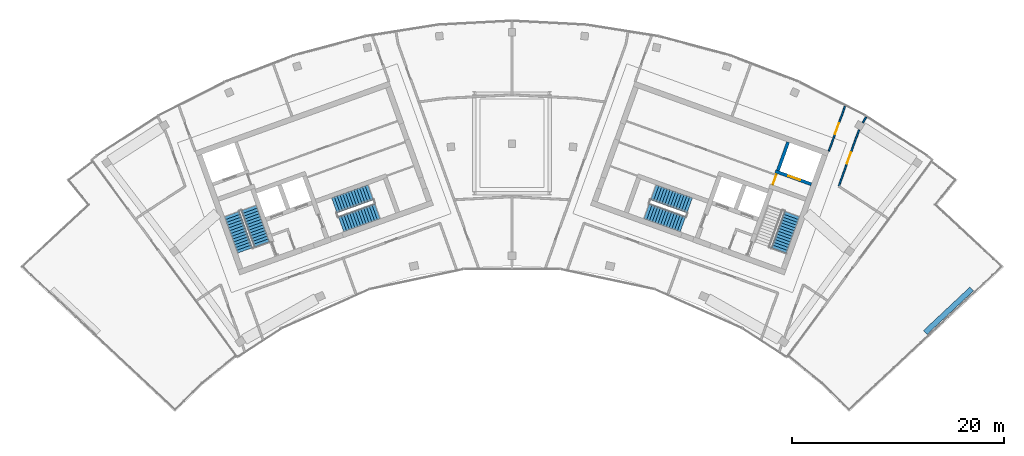
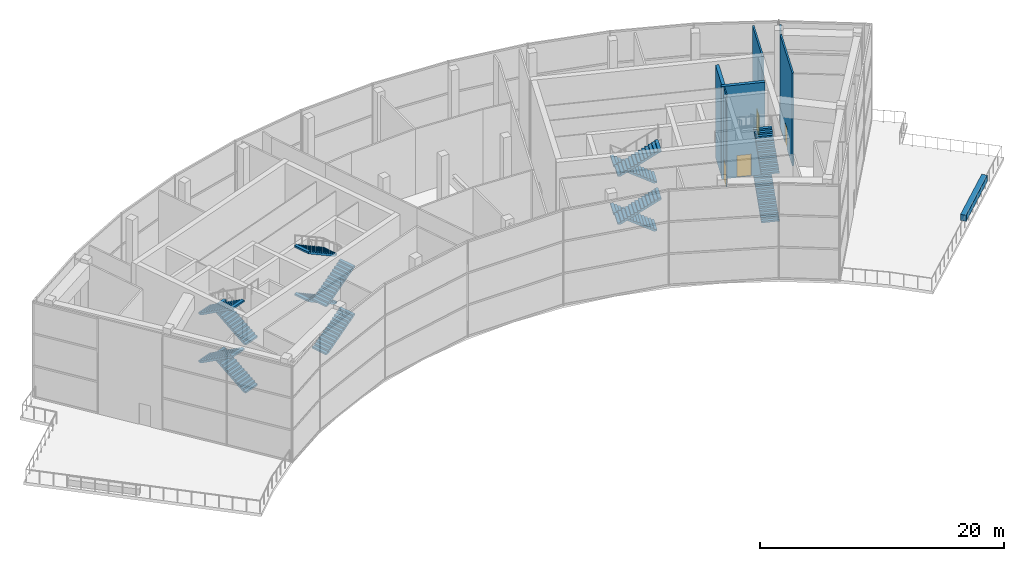
# One storey, part 16 of 20: 14 stair flights, 7 walls, 4 doors, 4 openings, 4 elements without a shape of their own.
"""IFC4 building model written with IfcOpenShell, lengths in metres."""

from ifc_helpers import new_model, si_unit, direction, frame, frame_2d, origin, origin_2d, place, context, subcontext, project, spatial, polyline, rectangle, outline, extrude, material, layer, layer_set, type_object, element, fill, aggregate, save


model = new_model("IFC4")

# Units and contexts
model_context = context("Model", 3, precision=1e-05, world=origin(), true_north=direction((0.0, 1.0)))
body_context = subcontext(model_context, "Body", "Model", "MODEL_VIEW")
ifc_project = project(units=[si_unit("LENGTHUNIT", "METRE"), si_unit("AREAUNIT", "SQUARE_METRE"), si_unit("VOLUMEUNIT", "CUBIC_METRE"), si_unit("PLANEANGLEUNIT", "RADIAN"), si_unit("MASSUNIT", "GRAM", prefix="KILO")], contexts=[model_context])

# Site, building, storey
site_placement = place(None, origin())
site = spatial("IfcSite", under=ifc_project, at=site_placement, CompositionType="ELEMENT")
building_placement = place(site_placement, origin())
building = spatial("IfcBuilding", under=site, at=building_placement, Name="Stone Belt Terrace Tower", CompositionType="ELEMENT")
storey_placement = place(building_placement, frame((0.0, 0.0, 323.0)))
storey = spatial("IfcBuildingStorey", under=building, at=storey_placement, Name="L78", CompositionType="ELEMENT", Elevation=323.0)

# Wall, opening, door
ifc_material_1 = material(Name="Plasterboard partition")
ifc_layer_1 = layer(ifc_material_1, 0.10009765625)
ifc_layer_set_1 = layer_set([ifc_layer_1], Name="Core partition 100")
wall_type_1 = type_object("IfcWallType", Name="Core partition 100", PredefinedType="PARTITIONING", material=ifc_layer_set_1)
wall_1_placement = place(storey_placement, frame((24.555908203125, 51.10400390625, 0.0), z_axis=(0.0, 0.0, 1.0), x_axis=(0.338621735342, 0.94092258999, 0.0)))
wall_1 = element("IfcWall", 1, at=wall_1_placement, inside=storey, type_object=wall_type_1, Name="Core B wall", PredefinedType="PARTITIONING", context=body_context, shape_type="SweptSolid", body=[
    extrude(rectangle(XDim=1.14990234375, YDim=0.10009765625, at=frame_2d((0.574951171875, 0.0))), origin(), (0.0, 0.0, 1.0), 9.25),
])
opening_1_placement = place(wall_1_placement, frame((0.050048828125, 0.0, 0.0)))
opening_1 = element("IfcOpeningElement", 2, at=opening_1_placement, cuts=wall_1, Name="Opening L78-C13", PredefinedType="OPENING", context=body_context, shape_type="SweptSolid", body=[
    extrude(rectangle(XDim=1.0, YDim=2.10009765625, at=frame_2d((0.5, 1.050048828125))), frame((0.0, 0.06005859375, 0.0), z_axis=(0.0, -1.0, 0.0), x_axis=(1.0, 0.0, 0.0)), (0.0, 0.0, 1.0), 0.1201171875),
])
ifc_material_2 = material(Name="Timber door leaf", Category="wood")
door_type_1 = type_object("IfcDoorType", Name="Core room door 1000", OperationType="SINGLE_SWING_LEFT", PredefinedType="DOOR", material=ifc_material_2)
door_1_placement = place(opening_1_placement, origin())
door_1 = element("IfcDoor", 3, at=door_1_placement, inside=storey, type_object=door_type_1, Name="Service lift lobby door core B", OperationType="SINGLE_SWING_LEFT", OverallHeight=2.10009765625, OverallWidth=1.0, PredefinedType="DOOR", context=body_context, shape_type="SweptSolid", body=[
    extrude(rectangle(XDim=1.0, YDim=2.10009765625, at=frame_2d((0.5, 1.050048828125))), frame((0.0, 0.02490234375, 0.0), z_axis=(0.0, -1.0, 0.0), x_axis=(1.0, 0.0, 0.0)), (0.0, 0.0, 1.0), 0.050048828125),
])
fill(opening_1, door_1)

ifc_material_3 = material(Name="Concrete B80", Category="concrete")
ifc_layer_2 = layer(ifc_material_3, 0.300048828125)
ifc_layer_set_2 = layer_set([ifc_layer_2], Name="Lift shaft wall 300")
wall_type_2 = type_object("IfcWallType", Name="Lift shaft wall 300", PredefinedType="SHEAR", material=ifc_layer_set_2)
wall_2_placement = place(storey_placement, frame((28.195068359375, 51.17578125, 0.0), z_axis=(0.0, 0.0, 1.0), x_axis=(-0.940901243567, 0.338681044427, 0.0)))
wall_2 = element("IfcWall", 4, at=wall_2_placement, inside=storey, type_object=wall_type_2, Name="Core B wall", PredefinedType="SHEAR", context=body_context, shape_type="SweptSolid", body=[
    extrude(rectangle(XDim=3.599853515625, YDim=0.300048828125, at=frame_2d((1.7998046875, 0.0))), origin(), (0.0, 0.0, 1.0), 9.25),
])
opening_2_placement = place(wall_2_placement, frame((1.1201171875, 0.0, 0.0)))
opening_2 = element("IfcOpeningElement", 5, at=opening_2_placement, cuts=wall_2, Name="Opening L78-LD06", PredefinedType="OPENING", context=body_context, shape_type="SweptSolid", body=[
    extrude(rectangle(XDim=1.199951171875, YDim=2.199951171875, at=frame_2d((0.60009765625, 1.10009765625))), frame((0.0, 0.159912109375, 0.0), z_axis=(0.0, -1.0, 0.0), x_axis=(1.0, 0.0, 0.0)), (0.0, 0.0, 1.0), 0.320068359375),
])
ifc_material_4 = material(Name="Stainless steel door leaf", Category="steel")
door_type_2 = type_object("IfcDoorType", Name="Landing door 1200", OperationType="SLIDING_TO_LEFT", PredefinedType="DOOR", material=ifc_material_4)
door_2_placement = place(opening_2_placement, origin())
door_2 = element("IfcDoor", 6, at=door_2_placement, inside=storey, type_object=door_type_2, Name="Landing door SV1 core B", OperationType="SLIDING_TO_LEFT", OverallHeight=2.199951171875, OverallWidth=1.199951171875, PredefinedType="DOOR", context=body_context, shape_type="SweptSolid", body=[
    extrude(rectangle(XDim=1.199951171875, YDim=2.199951171875, at=frame_2d((0.60009765625, 1.10009765625))), frame((0.0, 0.02490234375, 0.0), z_axis=(0.0, -1.0, 0.0), x_axis=(1.0, 0.0, 0.0)), (0.0, 0.0, 1.0), 0.050048828125),
])
fill(opening_2, door_2)

# Wall
wall_3_placement = place(storey_placement, frame((25.046875, 52.46826171875, 0.0), z_axis=(0.0, 0.0, 1.0), x_axis=(0.338549588058, 0.940948551423, 0.0)))
element("IfcWall", 7, at=wall_3_placement, inside=storey, type_object=wall_type_2, Name="Core B wall", PredefinedType="SHEAR", context=body_context, shape_type="SweptSolid", body=[
    extrude(rectangle(XDim=2.849853515625, YDim=0.300048828125, at=frame_2d((1.4248046875, 0.0))), origin(), (0.0, 0.0, 1.0), 9.25),
])

# Wall, opening, door
ifc_material_5 = material(Name="Gypsum board partition")
ifc_layer_3 = layer(ifc_material_5, 0.14990234375)
ifc_layer_set_3 = layer_set([ifc_layer_3], Name="PARTITION 150 EI 60")
wall_type_3 = type_object("IfcWallType", Name="PARTITION 150 EI 60", PredefinedType="PARTITIONING", material=ifc_layer_set_3)
wall_4_placement = place(storey_placement, frame((29.85107421875, 54.300048828125, 0.0), z_axis=(0.0, 0.0, 1.0), x_axis=(0.338740565995, 0.940879816421, 0.0)))
wall_4 = element("IfcWall", 8, at=wall_4_placement, inside=storey, type_object=wall_type_3, Name="L78/wall/i028", PredefinedType="PARTITIONING", context=body_context, shape_type="SweptSolid", body=[
    extrude(rectangle(XDim=4.507568359375, YDim=0.14990234375, at=frame_2d((2.25390625, 0.0))), origin(), (0.0, 0.0, 1.0), 9.25),
])
opening_3_placement = place(wall_4_placement, frame((1.703857421875, 0.0, 0.0)))
opening_3 = element("IfcOpeningElement", 9, at=opening_3_placement, cuts=wall_4, Name="Opening D-C78-08", PredefinedType="OPENING", context=body_context, shape_type="SweptSolid", body=[
    extrude(rectangle(XDim=1.10009765625, YDim=2.10009765625, at=frame_2d((0.550048828125, 1.050048828125))), frame((0.0, 0.0849609375, 0.0), z_axis=(0.0, -1.0, 0.0), x_axis=(1.0, 0.0, 0.0)), (0.0, 0.0, 1.0), 0.169921875),
])
ifc_material_6 = material(Name="Steel fire door set", Category="steel")
door_type_3 = type_object("IfcDoorType", Name="SERVICE ROOM DOOR 1100 X 2100", OperationType="NOTDEFINED", PredefinedType="DOOR", material=ifc_material_6)
door_3_placement = place(opening_3_placement, origin())
door_3 = element("IfcDoor", 10, at=door_3_placement, inside=storey, type_object=door_type_3, Name="L78/door/i08", OperationType="SINGLE_SWING_RIGHT", OverallHeight=2.10009765625, OverallWidth=1.10009765625, PredefinedType="DOOR", context=body_context, shape_type="SweptSolid", body=[
    extrude(rectangle(XDim=1.10009765625, YDim=2.10009765625, at=frame_2d((0.550048828125, 1.050048828125))), frame((0.0, 0.02490234375, 0.0), z_axis=(0.0, -1.0, 0.0), x_axis=(1.0, 0.0, 0.0)), (0.0, 0.0, 1.0), 0.050048828125),
])
fill(opening_3, door_3)

# Wall
wall_5_placement = place(storey_placement, frame((33.3671875, 57.514404296875, 0.0), z_axis=(0.0, 0.0, 1.0), x_axis=(-0.501776664116, -0.864997213492, 0.0)))
element("IfcWall", 11, at=wall_5_placement, inside=storey, type_object=wall_type_3, Name="L78/wall/i033", PredefinedType="PARTITIONING", context=body_context, shape_type="SweptSolid", body=[
    extrude(rectangle(XDim=0.623779296875, YDim=0.14990234375, at=frame_2d((0.31201171875, 0.0))), origin(), (0.0, 0.0, 1.0), 9.25),
])

# Wall, opening, door
wall_6_placement = place(storey_placement, frame((32.697265625, 56.303466796875, 0.0), z_axis=(0.0, 0.0, 1.0), x_axis=(-0.338935173262, -0.94080973014, 0.0)))
wall_6 = element("IfcWall", 12, at=wall_6_placement, inside=storey, type_object=wall_type_3, Name="L78/wall/i034", PredefinedType="PARTITIONING", context=body_context, shape_type="SweptSolid", body=[
    extrude(rectangle(XDim=5.65087890625, YDim=0.14990234375, at=frame_2d((2.825439453125, 0.0))), origin(), (0.0, 0.0, 1.0), 9.25),
])
opening_4_placement = place(wall_6_placement, frame((2.275390625, 0.0, 0.0)))
opening_4 = element("IfcOpeningElement", 13, at=opening_4_placement, cuts=wall_6, Name="Opening D-C78-12", PredefinedType="OPENING", context=body_context, shape_type="SweptSolid", body=[
    extrude(rectangle(XDim=1.10009765625, YDim=2.10009765625, at=frame_2d((0.550048828125, 1.050048828125))), frame((0.0, 0.0849609375, 0.0), z_axis=(0.0, -1.0, 0.0), x_axis=(1.0, 0.0, 0.0)), (0.0, 0.0, 1.0), 0.169921875),
])
door_4_placement = place(opening_4_placement, origin())
door_4 = element("IfcDoor", 14, at=door_4_placement, inside=storey, type_object=door_type_3, Name="L78/door/i12", OperationType="SINGLE_SWING_RIGHT", OverallHeight=2.10009765625, OverallWidth=1.10009765625, PredefinedType="DOOR", context=body_context, shape_type="SweptSolid", body=[
    extrude(rectangle(XDim=1.10009765625, YDim=2.10009765625, at=frame_2d((0.550048828125, 1.050048828125))), frame((0.0, 0.02490234375, 0.0), z_axis=(0.0, -1.0, 0.0), x_axis=(1.0, 0.0, 0.0)), (0.0, 0.0, 1.0), 0.050048828125),
])
fill(opening_4, door_4)

# Wall
ifc_material_7 = material(Name="Precast concrete C40/50", Category="concrete")
ifc_layer_4 = layer(ifc_material_7, 0.5)
ifc_layer_set_4 = layer_set([ifc_layer_4], Name="Planter box 500 x 600")
wall_type_4 = type_object("IfcWallType", Name="Planter box 500 x 600", PredefinedType="SOLIDWALL", material=ifc_layer_set_4)
wall_7_placement = place(storey_placement, frame((41.114501953125, 39.2568359375, 0.0), z_axis=(0.0, 0.0, 1.0), x_axis=(0.729904219708, 0.683549434973, 0.0)))
element("IfcWall", 15, at=wall_7_placement, inside=storey, type_object=wall_type_4, Name="PLANTER L78 1", PredefinedType="SOLIDWALL", context=body_context, shape_type="SweptSolid", body=[
    extrude(rectangle(XDim=6.0, YDim=0.5, at=origin_2d()), origin(), (0.0, 0.0, 1.0), 0.60009765625),
])

# Stair, stair flights
ifc_material_8 = material(Name="Concrete B40", Category="concrete")
stair_type = type_object("IfcStairType", Name="Exit stair 1500", PredefinedType="HALF_TURN_STAIR", material=ifc_material_8)
stair_1_placement = place(storey_placement, origin())
stair_1 = element("IfcStair", 16, at=stair_1_placement, inside=storey, type_object=stair_type, Name="L78 Exit stair 1 core A", PredefinedType="HALF_TURN_STAIR")
stair_flight_type = type_object("IfcStairFlightType", Name="Stair flight 1500", PredefinedType="STRAIGHT", material=ifc_material_8)
stair_flight_1_placement = place(storey_placement, frame((-23.55322265625, 45.51318359375, 0.0), z_axis=(0.0, 0.0, 1.0), x_axis=(-0.338624396177, 0.940921632398, 0.0)))
stair_flight_1 = element("IfcStairFlight", 17, at=stair_flight_1_placement, type_object=stair_flight_type, Name="ST1A flight 1", NumberOfRisers=14, NumberOfTreads=13, PredefinedType="STRAIGHT", RiserHeight=0.171428571, TreadLength=0.28, context=body_context, shape_type="SweptSolid", body=[
    extrude(outline(polyline([(0.0, 0.0), (0.0, 0.17138671875), (0.280029296875, 0.17138671875), (0.280029296875, 0.3427734375), (0.56005859375, 0.3427734375), (0.56005859375, 0.514404296875), (0.840087890625, 0.514404296875), (0.840087890625, 0.685791015625), (1.1201171875, 0.685791015625), (1.1201171875, 0.857177734375), (1.39990234375, 0.857177734375), (1.39990234375, 1.028564453125), (1.679931640625, 1.028564453125), (1.679931640625, 1.199951171875), (1.9599609375, 1.199951171875), (1.9599609375, 1.371337890625), (2.239990234375, 1.371337890625), (2.239990234375, 1.54296875), (2.52001953125, 1.54296875), (2.52001953125, 1.71435546875), (2.800048828125, 1.71435546875), (2.800048828125, 1.8857421875), (3.080078125, 1.8857421875), (3.080078125, 2.05712890625), (3.360107421875, 2.05712890625), (3.360107421875, 2.228515625), (3.639892578125, 2.228515625), (3.639892578125, 2.39990234375), (3.639892578125, 2.052734375), (0.287109375, 0.0), (0.0, 0.0)])), frame((0.0, 0.75, 0.0), z_axis=(0.0, -1.0, 0.0), x_axis=(1.0, 0.0, 0.0)), (0.0, 0.0, 1.0), 1.5),
])
stair_flight_2_placement = place(storey_placement, frame((-26.385498046875, 48.3623046875, 2.39990234375), z_axis=(0.0, 0.0, 1.0), x_axis=(0.338624396177, -0.940921632398, 0.0)))
stair_flight_2 = element("IfcStairFlight", 18, at=stair_flight_2_placement, type_object=stair_flight_type, Name="ST1A flight 2", NumberOfRisers=14, NumberOfTreads=13, PredefinedType="STRAIGHT", RiserHeight=0.171428571, TreadLength=0.28, context=body_context, shape_type="SweptSolid", body=[
    extrude(outline(polyline([(0.0, 0.0), (0.0, 0.17138671875), (0.280029296875, 0.17138671875), (0.280029296875, 0.3427734375), (0.56005859375, 0.3427734375), (0.56005859375, 0.514404296875), (0.840087890625, 0.514404296875), (0.840087890625, 0.685791015625), (1.1201171875, 0.685791015625), (1.1201171875, 0.857177734375), (1.39990234375, 0.857177734375), (1.39990234375, 1.028564453125), (1.679931640625, 1.028564453125), (1.679931640625, 1.199951171875), (1.9599609375, 1.199951171875), (1.9599609375, 1.371337890625), (2.239990234375, 1.371337890625), (2.239990234375, 1.54296875), (2.52001953125, 1.54296875), (2.52001953125, 1.71435546875), (2.800048828125, 1.71435546875), (2.800048828125, 1.8857421875), (3.080078125, 1.8857421875), (3.080078125, 2.05712890625), (3.360107421875, 2.05712890625), (3.360107421875, 2.228515625), (3.639892578125, 2.228515625), (3.639892578125, 2.39990234375), (3.639892578125, 2.052734375), (0.287109375, 0.0), (0.0, 0.0)])), frame((0.0, 0.75, 0.0), z_axis=(0.0, -1.0, 0.0), x_axis=(1.0, 0.0, 0.0)), (0.0, 0.0, 1.0), 1.5),
])
stair_flight_3_placement = place(storey_placement, frame((-23.55322265625, 45.51318359375, 4.800048828125), z_axis=(0.0, 0.0, 1.0), x_axis=(-0.338624396177, 0.940921632398, 0.0)))
stair_flight_3 = element("IfcStairFlight", 19, at=stair_flight_3_placement, type_object=stair_flight_type, Name="ST1A flight 3", NumberOfRisers=14, NumberOfTreads=13, PredefinedType="STRAIGHT", RiserHeight=0.171428571, TreadLength=0.28, context=body_context, shape_type="SweptSolid", body=[
    extrude(outline(polyline([(0.0, 0.0), (0.0, 0.17138671875), (0.280029296875, 0.17138671875), (0.280029296875, 0.3427734375), (0.56005859375, 0.3427734375), (0.56005859375, 0.514404296875), (0.840087890625, 0.514404296875), (0.840087890625, 0.685791015625), (1.1201171875, 0.685791015625), (1.1201171875, 0.857177734375), (1.39990234375, 0.857177734375), (1.39990234375, 1.028564453125), (1.679931640625, 1.028564453125), (1.679931640625, 1.199951171875), (1.9599609375, 1.199951171875), (1.9599609375, 1.371337890625), (2.239990234375, 1.371337890625), (2.239990234375, 1.54296875), (2.52001953125, 1.54296875), (2.52001953125, 1.71435546875), (2.800048828125, 1.71435546875), (2.800048828125, 1.8857421875), (3.080078125, 1.8857421875), (3.080078125, 2.05712890625), (3.360107421875, 2.05712890625), (3.360107421875, 2.228515625), (3.639892578125, 2.228515625), (3.639892578125, 2.39990234375), (3.639892578125, 2.052734375), (0.287109375, 0.0), (0.0, 0.0)])), frame((0.0, 0.75, 0.0), z_axis=(0.0, -1.0, 0.0), x_axis=(1.0, 0.0, 0.0)), (0.0, 0.0, 1.0), 1.5),
])
stair_flight_4_placement = place(storey_placement, frame((-26.385498046875, 48.3623046875, 7.199951171875), z_axis=(0.0, 0.0, 1.0), x_axis=(0.338624396177, -0.940921632398, 0.0)))
stair_flight_4 = element("IfcStairFlight", 20, at=stair_flight_4_placement, type_object=stair_flight_type, Name="ST1A flight 4", NumberOfRisers=14, NumberOfTreads=13, PredefinedType="STRAIGHT", RiserHeight=0.171428571, TreadLength=0.28, context=body_context, shape_type="SweptSolid", body=[
    extrude(outline(polyline([(0.0, 0.0), (0.0, 0.17138671875), (0.280029296875, 0.17138671875), (0.280029296875, 0.3427734375), (0.56005859375, 0.3427734375), (0.56005859375, 0.514404296875), (0.840087890625, 0.514404296875), (0.840087890625, 0.685791015625), (1.1201171875, 0.685791015625), (1.1201171875, 0.857177734375), (1.39990234375, 0.857177734375), (1.39990234375, 1.028564453125), (1.679931640625, 1.028564453125), (1.679931640625, 1.199951171875), (1.9599609375, 1.199951171875), (1.9599609375, 1.371337890625), (2.239990234375, 1.371337890625), (2.239990234375, 1.54296875), (2.52001953125, 1.54296875), (2.52001953125, 1.71435546875), (2.800048828125, 1.71435546875), (2.800048828125, 1.8857421875), (3.080078125, 1.8857421875), (3.080078125, 2.05712890625), (3.360107421875, 2.05712890625), (3.360107421875, 2.228515625), (3.639892578125, 2.228515625), (3.639892578125, 2.39990234375), (3.639892578125, 2.052734375), (0.287109375, 0.0), (0.0, 0.0)])), frame((0.0, 0.75, 0.0), z_axis=(0.0, -1.0, 0.0), x_axis=(1.0, 0.0, 0.0)), (0.0, 0.0, 1.0), 1.5),
])
aggregate(stair_1, [stair_flight_1, stair_flight_2, stair_flight_3, stair_flight_4])

stair_2_placement = place(storey_placement, origin())
stair_2 = element("IfcStair", 21, at=stair_2_placement, inside=storey, type_object=stair_type, Name="L78 Exit stair 2 core A", PredefinedType="HALF_TURN_STAIR")
stair_flight_5_placement = place(storey_placement, frame((-16.101318359375, 47.39794921875, 0.0), z_axis=(0.0, 0.0, 1.0), x_axis=(0.940921632398, 0.338624396177, 0.0)))
stair_flight_5 = element("IfcStairFlight", 22, at=stair_flight_5_placement, type_object=stair_flight_type, Name="ST2A flight 1", NumberOfRisers=14, NumberOfTreads=13, PredefinedType="STRAIGHT", RiserHeight=0.171428571, TreadLength=0.28, context=body_context, shape_type="SweptSolid", body=[
    extrude(outline(polyline([(0.0, 0.0), (0.0, 0.17138671875), (0.280029296875, 0.17138671875), (0.280029296875, 0.3427734375), (0.56005859375, 0.3427734375), (0.56005859375, 0.514404296875), (0.840087890625, 0.514404296875), (0.840087890625, 0.685791015625), (1.1201171875, 0.685791015625), (1.1201171875, 0.857177734375), (1.39990234375, 0.857177734375), (1.39990234375, 1.028564453125), (1.679931640625, 1.028564453125), (1.679931640625, 1.199951171875), (1.9599609375, 1.199951171875), (1.9599609375, 1.371337890625), (2.239990234375, 1.371337890625), (2.239990234375, 1.54296875), (2.52001953125, 1.54296875), (2.52001953125, 1.71435546875), (2.800048828125, 1.71435546875), (2.800048828125, 1.8857421875), (3.080078125, 1.8857421875), (3.080078125, 2.05712890625), (3.360107421875, 2.05712890625), (3.360107421875, 2.228515625), (3.639892578125, 2.228515625), (3.639892578125, 2.39990234375), (3.639892578125, 2.052734375), (0.287109375, 0.0), (0.0, 0.0)])), frame((0.0, 0.75, 0.0), z_axis=(0.0, -1.0, 0.0), x_axis=(1.0, 0.0, 0.0)), (0.0, 0.0, 1.0), 1.5),
])
stair_flight_6_placement = place(storey_placement, frame((-13.31982421875, 50.418212890625, 2.39990234375), z_axis=(0.0, 0.0, 1.0), x_axis=(-0.940921632398, -0.338624396177, 0.0)))
stair_flight_6 = element("IfcStairFlight", 23, at=stair_flight_6_placement, type_object=stair_flight_type, Name="ST2A flight 2", NumberOfRisers=14, NumberOfTreads=13, PredefinedType="STRAIGHT", RiserHeight=0.171428571, TreadLength=0.28, context=body_context, shape_type="SweptSolid", body=[
    extrude(outline(polyline([(0.0, 0.0), (0.0, 0.17138671875), (0.280029296875, 0.17138671875), (0.280029296875, 0.3427734375), (0.56005859375, 0.3427734375), (0.56005859375, 0.514404296875), (0.840087890625, 0.514404296875), (0.840087890625, 0.685791015625), (1.1201171875, 0.685791015625), (1.1201171875, 0.857177734375), (1.39990234375, 0.857177734375), (1.39990234375, 1.028564453125), (1.679931640625, 1.028564453125), (1.679931640625, 1.199951171875), (1.9599609375, 1.199951171875), (1.9599609375, 1.371337890625), (2.239990234375, 1.371337890625), (2.239990234375, 1.54296875), (2.52001953125, 1.54296875), (2.52001953125, 1.71435546875), (2.800048828125, 1.71435546875), (2.800048828125, 1.8857421875), (3.080078125, 1.8857421875), (3.080078125, 2.05712890625), (3.360107421875, 2.05712890625), (3.360107421875, 2.228515625), (3.639892578125, 2.228515625), (3.639892578125, 2.39990234375), (3.639892578125, 2.052734375), (0.287109375, 0.0), (0.0, 0.0)])), frame((0.0, 0.75, 0.0), z_axis=(0.0, -1.0, 0.0), x_axis=(1.0, 0.0, 0.0)), (0.0, 0.0, 1.0), 1.5),
])
stair_flight_7_placement = place(storey_placement, frame((-16.101318359375, 47.39794921875, 4.800048828125), z_axis=(0.0, 0.0, 1.0), x_axis=(0.940921632398, 0.338624396177, 0.0)))
stair_flight_7 = element("IfcStairFlight", 24, at=stair_flight_7_placement, type_object=stair_flight_type, Name="ST2A flight 3", NumberOfRisers=14, NumberOfTreads=13, PredefinedType="STRAIGHT", RiserHeight=0.171428571, TreadLength=0.28, context=body_context, shape_type="SweptSolid", body=[
    extrude(outline(polyline([(0.0, 0.0), (0.0, 0.17138671875), (0.280029296875, 0.17138671875), (0.280029296875, 0.3427734375), (0.56005859375, 0.3427734375), (0.56005859375, 0.514404296875), (0.840087890625, 0.514404296875), (0.840087890625, 0.685791015625), (1.1201171875, 0.685791015625), (1.1201171875, 0.857177734375), (1.39990234375, 0.857177734375), (1.39990234375, 1.028564453125), (1.679931640625, 1.028564453125), (1.679931640625, 1.199951171875), (1.9599609375, 1.199951171875), (1.9599609375, 1.371337890625), (2.239990234375, 1.371337890625), (2.239990234375, 1.54296875), (2.52001953125, 1.54296875), (2.52001953125, 1.71435546875), (2.800048828125, 1.71435546875), (2.800048828125, 1.8857421875), (3.080078125, 1.8857421875), (3.080078125, 2.05712890625), (3.360107421875, 2.05712890625), (3.360107421875, 2.228515625), (3.639892578125, 2.228515625), (3.639892578125, 2.39990234375), (3.639892578125, 2.052734375), (0.287109375, 0.0), (0.0, 0.0)])), frame((0.0, 0.75, 0.0), z_axis=(0.0, -1.0, 0.0), x_axis=(1.0, 0.0, 0.0)), (0.0, 0.0, 1.0), 1.5),
])
stair_flight_8_placement = place(storey_placement, frame((-13.31982421875, 50.418212890625, 7.199951171875), z_axis=(0.0, 0.0, 1.0), x_axis=(-0.940921632398, -0.338624396177, 0.0)))
stair_flight_8 = element("IfcStairFlight", 25, at=stair_flight_8_placement, type_object=stair_flight_type, Name="ST2A flight 4", NumberOfRisers=14, NumberOfTreads=13, PredefinedType="STRAIGHT", RiserHeight=0.171428571, TreadLength=0.28, context=body_context, shape_type="SweptSolid", body=[
    extrude(outline(polyline([(0.0, 0.0), (0.0, 0.17138671875), (0.280029296875, 0.17138671875), (0.280029296875, 0.3427734375), (0.56005859375, 0.3427734375), (0.56005859375, 0.514404296875), (0.840087890625, 0.514404296875), (0.840087890625, 0.685791015625), (1.1201171875, 0.685791015625), (1.1201171875, 0.857177734375), (1.39990234375, 0.857177734375), (1.39990234375, 1.028564453125), (1.679931640625, 1.028564453125), (1.679931640625, 1.199951171875), (1.9599609375, 1.199951171875), (1.9599609375, 1.371337890625), (2.239990234375, 1.371337890625), (2.239990234375, 1.54296875), (2.52001953125, 1.54296875), (2.52001953125, 1.71435546875), (2.800048828125, 1.71435546875), (2.800048828125, 1.8857421875), (3.080078125, 1.8857421875), (3.080078125, 2.05712890625), (3.360107421875, 2.05712890625), (3.360107421875, 2.228515625), (3.639892578125, 2.228515625), (3.639892578125, 2.39990234375), (3.639892578125, 2.052734375), (0.287109375, 0.0), (0.0, 0.0)])), frame((0.0, 0.75, 0.0), z_axis=(0.0, -1.0, 0.0), x_axis=(1.0, 0.0, 0.0)), (0.0, 0.0, 1.0), 1.5),
])
aggregate(stair_2, [stair_flight_5, stair_flight_6, stair_flight_7, stair_flight_8])

stair_3_placement = place(storey_placement, origin())
stair_3 = element("IfcStair", 26, at=stair_3_placement, inside=storey, type_object=stair_type, Name="L78 Exit stair 1 core B", PredefinedType="HALF_TURN_STAIR")
stair_flight_9_placement = place(storey_placement, frame((25.15283203125, 44.9375, 0.0), z_axis=(0.0, 0.0, 1.0), x_axis=(0.338624396177, 0.940921632398, 0.0)))
stair_flight_9 = element("IfcStairFlight", 27, at=stair_flight_9_placement, type_object=stair_flight_type, Name="ST1B flight 1", NumberOfRisers=14, NumberOfTreads=13, PredefinedType="STRAIGHT", RiserHeight=0.171428571, TreadLength=0.28, context=body_context, shape_type="SweptSolid", body=[
    extrude(outline(polyline([(0.0, 0.0), (0.0, 0.17138671875), (0.280029296875, 0.17138671875), (0.280029296875, 0.3427734375), (0.56005859375, 0.3427734375), (0.56005859375, 0.514404296875), (0.840087890625, 0.514404296875), (0.840087890625, 0.685791015625), (1.1201171875, 0.685791015625), (1.1201171875, 0.857177734375), (1.39990234375, 0.857177734375), (1.39990234375, 1.028564453125), (1.679931640625, 1.028564453125), (1.679931640625, 1.199951171875), (1.9599609375, 1.199951171875), (1.9599609375, 1.371337890625), (2.239990234375, 1.371337890625), (2.239990234375, 1.54296875), (2.52001953125, 1.54296875), (2.52001953125, 1.71435546875), (2.800048828125, 1.71435546875), (2.800048828125, 1.8857421875), (3.080078125, 1.8857421875), (3.080078125, 2.05712890625), (3.360107421875, 2.05712890625), (3.360107421875, 2.228515625), (3.639892578125, 2.228515625), (3.639892578125, 2.39990234375), (3.639892578125, 2.052734375), (0.287109375, 0.0), (0.0, 0.0)])), frame((0.0, 0.75, 0.0), z_axis=(0.0, -1.0, 0.0), x_axis=(1.0, 0.0, 0.0)), (0.0, 0.0, 1.0), 1.5),
])
stair_flight_10_placement = place(storey_placement, frame((25.15283203125, 44.9375, 4.800048828125), z_axis=(0.0, 0.0, 1.0), x_axis=(0.338624396177, 0.940921632398, 0.0)))
stair_flight_10 = element("IfcStairFlight", 28, at=stair_flight_10_placement, type_object=stair_flight_type, Name="ST1B flight 3", NumberOfRisers=14, NumberOfTreads=13, PredefinedType="STRAIGHT", RiserHeight=0.171428571, TreadLength=0.28, context=body_context, shape_type="SweptSolid", body=[
    extrude(outline(polyline([(0.0, 0.0), (0.0, 0.17138671875), (0.280029296875, 0.17138671875), (0.280029296875, 0.3427734375), (0.56005859375, 0.3427734375), (0.56005859375, 0.514404296875), (0.840087890625, 0.514404296875), (0.840087890625, 0.685791015625), (1.1201171875, 0.685791015625), (1.1201171875, 0.857177734375), (1.39990234375, 0.857177734375), (1.39990234375, 1.028564453125), (1.679931640625, 1.028564453125), (1.679931640625, 1.199951171875), (1.9599609375, 1.199951171875), (1.9599609375, 1.371337890625), (2.239990234375, 1.371337890625), (2.239990234375, 1.54296875), (2.52001953125, 1.54296875), (2.52001953125, 1.71435546875), (2.800048828125, 1.71435546875), (2.800048828125, 1.8857421875), (3.080078125, 1.8857421875), (3.080078125, 2.05712890625), (3.360107421875, 2.05712890625), (3.360107421875, 2.228515625), (3.639892578125, 2.228515625), (3.639892578125, 2.39990234375), (3.639892578125, 2.052734375), (0.287109375, 0.0), (0.0, 0.0)])), frame((0.0, 0.75, 0.0), z_axis=(0.0, -1.0, 0.0), x_axis=(1.0, 0.0, 0.0)), (0.0, 0.0, 1.0), 1.5),
])
aggregate(stair_3, [stair_flight_9, stair_flight_10])

stair_4_placement = place(storey_placement, origin())
stair_4 = element("IfcStair", 29, at=stair_4_placement, inside=storey, type_object=stair_type, Name="L78 Exit stair 2 core B", PredefinedType="HALF_TURN_STAIR")
stair_flight_11_placement = place(storey_placement, frame((16.74462890625, 49.185546875, 0.0), z_axis=(0.0, 0.0, 1.0), x_axis=(-0.940921632398, 0.338624396177, 0.0)))
stair_flight_11 = element("IfcStairFlight", 30, at=stair_flight_11_placement, type_object=stair_flight_type, Name="ST2B flight 1", NumberOfRisers=14, NumberOfTreads=13, PredefinedType="STRAIGHT", RiserHeight=0.171428571, TreadLength=0.28, context=body_context, shape_type="SweptSolid", body=[
    extrude(outline(polyline([(0.0, 0.0), (0.0, 0.17138671875), (0.280029296875, 0.17138671875), (0.280029296875, 0.3427734375), (0.56005859375, 0.3427734375), (0.56005859375, 0.514404296875), (0.840087890625, 0.514404296875), (0.840087890625, 0.685791015625), (1.1201171875, 0.685791015625), (1.1201171875, 0.857177734375), (1.39990234375, 0.857177734375), (1.39990234375, 1.028564453125), (1.679931640625, 1.028564453125), (1.679931640625, 1.199951171875), (1.9599609375, 1.199951171875), (1.9599609375, 1.371337890625), (2.239990234375, 1.371337890625), (2.239990234375, 1.54296875), (2.52001953125, 1.54296875), (2.52001953125, 1.71435546875), (2.800048828125, 1.71435546875), (2.800048828125, 1.8857421875), (3.080078125, 1.8857421875), (3.080078125, 2.05712890625), (3.360107421875, 2.05712890625), (3.360107421875, 2.228515625), (3.639892578125, 2.228515625), (3.639892578125, 2.39990234375), (3.639892578125, 2.052734375), (0.287109375, 0.0), (0.0, 0.0)])), frame((0.0, 0.75, 0.0), z_axis=(0.0, -1.0, 0.0), x_axis=(1.0, 0.0, 0.0)), (0.0, 0.0, 1.0), 1.5),
])
stair_flight_12_placement = place(storey_placement, frame((12.67626953125, 48.63037109375, 2.39990234375), z_axis=(0.0, 0.0, 1.0), x_axis=(0.940921632398, -0.338624396177, 0.0)))
stair_flight_12 = element("IfcStairFlight", 31, at=stair_flight_12_placement, type_object=stair_flight_type, Name="ST2B flight 2", NumberOfRisers=14, NumberOfTreads=13, PredefinedType="STRAIGHT", RiserHeight=0.171428571, TreadLength=0.28, context=body_context, shape_type="SweptSolid", body=[
    extrude(outline(polyline([(0.0, 0.0), (0.0, 0.17138671875), (0.280029296875, 0.17138671875), (0.280029296875, 0.3427734375), (0.56005859375, 0.3427734375), (0.56005859375, 0.514404296875), (0.840087890625, 0.514404296875), (0.840087890625, 0.685791015625), (1.1201171875, 0.685791015625), (1.1201171875, 0.857177734375), (1.39990234375, 0.857177734375), (1.39990234375, 1.028564453125), (1.679931640625, 1.028564453125), (1.679931640625, 1.199951171875), (1.9599609375, 1.199951171875), (1.9599609375, 1.371337890625), (2.239990234375, 1.371337890625), (2.239990234375, 1.54296875), (2.52001953125, 1.54296875), (2.52001953125, 1.71435546875), (2.800048828125, 1.71435546875), (2.800048828125, 1.8857421875), (3.080078125, 1.8857421875), (3.080078125, 2.05712890625), (3.360107421875, 2.05712890625), (3.360107421875, 2.228515625), (3.639892578125, 2.228515625), (3.639892578125, 2.39990234375), (3.639892578125, 2.052734375), (0.287109375, 0.0), (0.0, 0.0)])), frame((0.0, 0.75, 0.0), z_axis=(0.0, -1.0, 0.0), x_axis=(1.0, 0.0, 0.0)), (0.0, 0.0, 1.0), 1.5),
])
stair_flight_13_placement = place(storey_placement, frame((16.74462890625, 49.185546875, 4.800048828125), z_axis=(0.0, 0.0, 1.0), x_axis=(-0.940921632398, 0.338624396177, 0.0)))
stair_flight_13 = element("IfcStairFlight", 32, at=stair_flight_13_placement, type_object=stair_flight_type, Name="ST2B flight 3", NumberOfRisers=14, NumberOfTreads=13, PredefinedType="STRAIGHT", RiserHeight=0.171428571, TreadLength=0.28, context=body_context, shape_type="SweptSolid", body=[
    extrude(outline(polyline([(0.0, 0.0), (0.0, 0.17138671875), (0.280029296875, 0.17138671875), (0.280029296875, 0.3427734375), (0.56005859375, 0.3427734375), (0.56005859375, 0.514404296875), (0.840087890625, 0.514404296875), (0.840087890625, 0.685791015625), (1.1201171875, 0.685791015625), (1.1201171875, 0.857177734375), (1.39990234375, 0.857177734375), (1.39990234375, 1.028564453125), (1.679931640625, 1.028564453125), (1.679931640625, 1.199951171875), (1.9599609375, 1.199951171875), (1.9599609375, 1.371337890625), (2.239990234375, 1.371337890625), (2.239990234375, 1.54296875), (2.52001953125, 1.54296875), (2.52001953125, 1.71435546875), (2.800048828125, 1.71435546875), (2.800048828125, 1.8857421875), (3.080078125, 1.8857421875), (3.080078125, 2.05712890625), (3.360107421875, 2.05712890625), (3.360107421875, 2.228515625), (3.639892578125, 2.228515625), (3.639892578125, 2.39990234375), (3.639892578125, 2.052734375), (0.287109375, 0.0), (0.0, 0.0)])), frame((0.0, 0.75, 0.0), z_axis=(0.0, -1.0, 0.0), x_axis=(1.0, 0.0, 0.0)), (0.0, 0.0, 1.0), 1.5),
])
stair_flight_14_placement = place(storey_placement, frame((12.67626953125, 48.63037109375, 7.199951171875), z_axis=(0.0, 0.0, 1.0), x_axis=(0.940921632398, -0.338624396177, 0.0)))
stair_flight_14 = element("IfcStairFlight", 33, at=stair_flight_14_placement, type_object=stair_flight_type, Name="ST2B flight 4", NumberOfRisers=14, NumberOfTreads=13, PredefinedType="STRAIGHT", RiserHeight=0.171428571, TreadLength=0.28, context=body_context, shape_type="SweptSolid", body=[
    extrude(outline(polyline([(0.0, 0.0), (0.0, 0.17138671875), (0.280029296875, 0.17138671875), (0.280029296875, 0.3427734375), (0.56005859375, 0.3427734375), (0.56005859375, 0.514404296875), (0.840087890625, 0.514404296875), (0.840087890625, 0.685791015625), (1.1201171875, 0.685791015625), (1.1201171875, 0.857177734375), (1.39990234375, 0.857177734375), (1.39990234375, 1.028564453125), (1.679931640625, 1.028564453125), (1.679931640625, 1.199951171875), (1.9599609375, 1.199951171875), (1.9599609375, 1.371337890625), (2.239990234375, 1.371337890625), (2.239990234375, 1.54296875), (2.52001953125, 1.54296875), (2.52001953125, 1.71435546875), (2.800048828125, 1.71435546875), (2.800048828125, 1.8857421875), (3.080078125, 1.8857421875), (3.080078125, 2.05712890625), (3.360107421875, 2.05712890625), (3.360107421875, 2.228515625), (3.639892578125, 2.228515625), (3.639892578125, 2.39990234375), (3.639892578125, 2.052734375), (0.287109375, 0.0), (0.0, 0.0)])), frame((0.0, 0.75, 0.0), z_axis=(0.0, -1.0, 0.0), x_axis=(1.0, 0.0, 0.0)), (0.0, 0.0, 1.0), 1.5),
])
aggregate(stair_4, [stair_flight_11, stair_flight_12, stair_flight_13, stair_flight_14])

save(model, "model.ifc")
